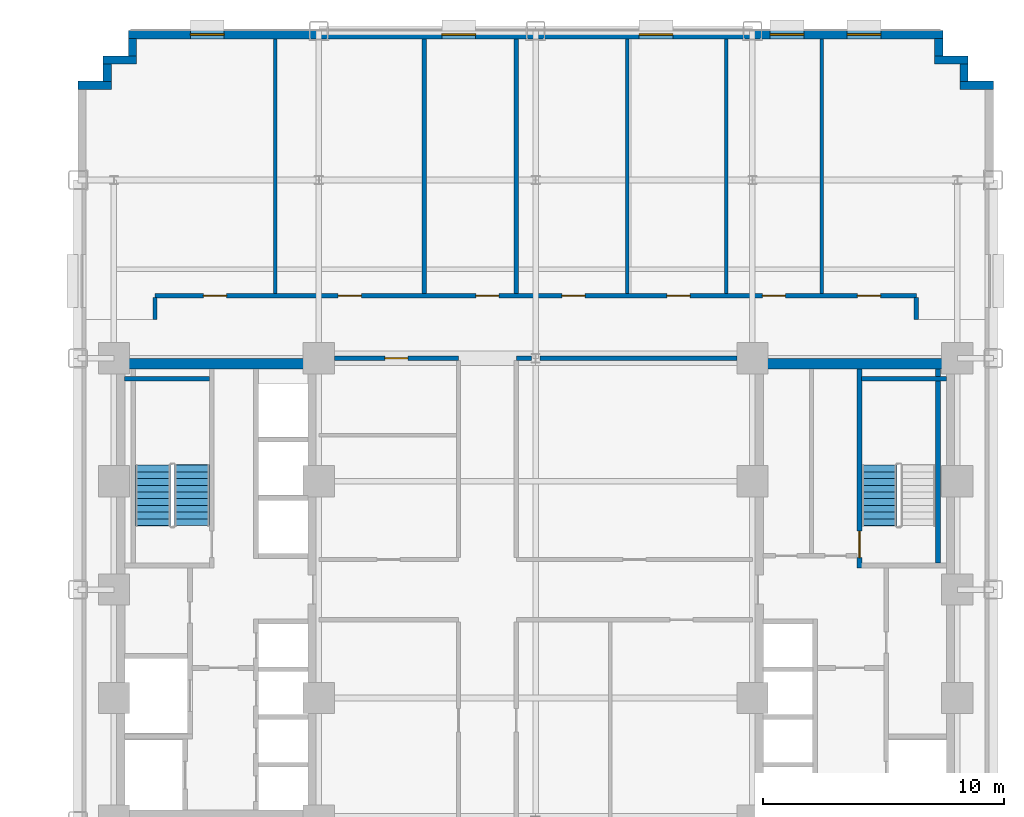
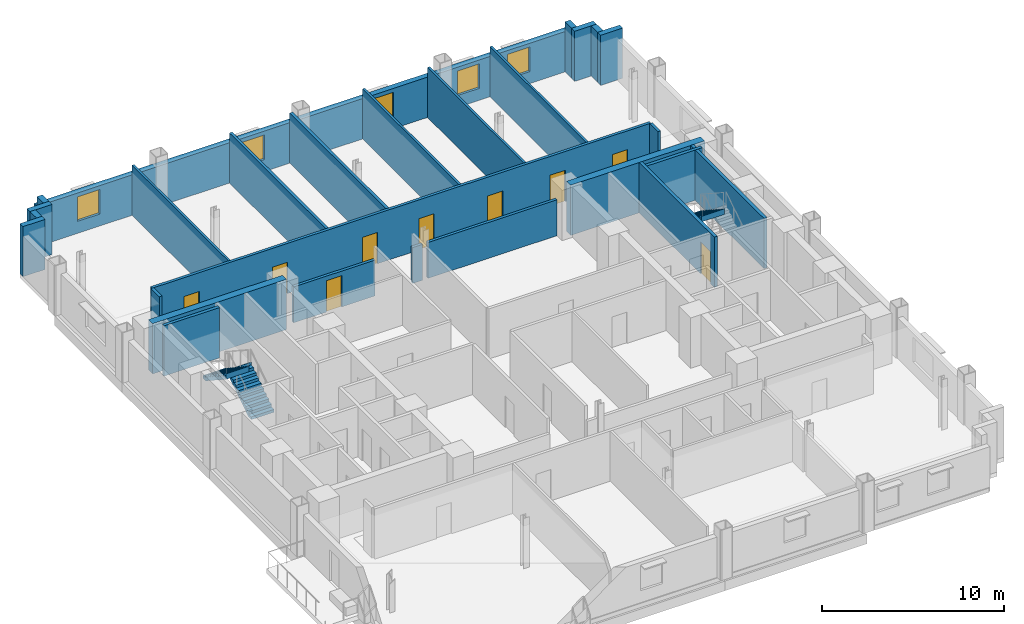
# One storey, part 7 of 12: 27 walls, 9 doors, 5 windows, 3 stair flights, 14 openings, 2 elements without a shape of their own.
"""IFC4 building model written with IfcOpenShell, lengths in metres."""

from ifc_helpers import new_model, si_unit, direction, frame, frame_2d, origin, place, context, subcontext, project, spatial, polyline, rectangle, outline, extrude, source, transform, mapped, material, layer, layer_set, type_object, type_shapes, element, fill, aggregate, save


model = new_model("IFC4")

# Units and contexts
model_context = context("Model", 3, precision=1e-05, world=origin(), true_north=direction((0.0, 1.0)))
body_context = subcontext(model_context, "Body", "Model", "MODEL_VIEW")
ifc_project = project(units=[si_unit("LENGTHUNIT", "METRE"), si_unit("AREAUNIT", "SQUARE_METRE"), si_unit("VOLUMEUNIT", "CUBIC_METRE"), si_unit("PLANEANGLEUNIT", "RADIAN"), si_unit("MASSUNIT", "GRAM", prefix="KILO")], contexts=[model_context])

# Site, building, storey
site_placement = place(None, origin())
site = spatial("IfcSite", under=ifc_project, at=site_placement, CompositionType="ELEMENT")
building_placement = place(site_placement, origin())
building = spatial("IfcBuilding", under=site, at=building_placement, Name="Nuvemarco Arch Tower", CompositionType="ELEMENT")
storey_placement = place(building_placement, frame((0.0, 0.0, 31.25)))
storey = spatial("IfcBuildingStorey", under=building, at=storey_placement, Name="L07", CompositionType="ELEMENT", Elevation=31.25)

# Walls
ifc_material_1 = material(Name="Precast concrete C45/55", Category="concrete")
ifc_layer_1 = layer(ifc_material_1, 0.340087890625, Name="EW-LOW-340")
ifc_layer_set_1 = layer_set([ifc_layer_1], Name="Precast concrete C45/55")
wall_type_1 = type_object("IfcWallType", Name="EW-LOW-340", PredefinedType="STANDARD", material=ifc_layer_set_1)
wall_1_placement = place(storey_placement, frame((17.610107421875, 20.929931640625, 0.0), z_axis=(0.0, 0.0, 1.0), x_axis=(1.0, 0.0, 0.0)))
element("IfcWall", 1, at=wall_1_placement, inside=storey, type_object=wall_type_1, Name="L07 exterior precast facade wall 7", PredefinedType="STANDARD", context=body_context, shape_type="SweptSolid", body=[
    extrude(rectangle(XDim=1.389892578125, YDim=0.340087890625, at=frame_2d((0.69482421875, 0.0))), origin(), (0.0, 0.0, 1.0), 3.360107421875),
])
wall_2_placement = place(storey_placement, frame((17.780029296875, 21.095947265625, 0.0), z_axis=(0.0, 0.0, 1.0), x_axis=(0.0, 1.0, 0.0)))
element("IfcWall", 2, at=wall_2_placement, inside=storey, type_object=wall_type_1, Name="L07 exterior precast facade wall 8", PredefinedType="STANDARD", context=body_context, shape_type="SweptSolid", body=[
    extrude(rectangle(XDim=0.718017578125, YDim=0.340087890625, at=frame_2d((0.35888671875, 0.0))), origin(), (0.0, 0.0, 1.0), 3.360107421875),
])
wall_3_placement = place(storey_placement, frame((16.56005859375, 21.97998046875, 0.0), z_axis=(0.0, 0.0, 1.0), x_axis=(1.0, 0.0, 0.0)))
element("IfcWall", 3, at=wall_3_placement, inside=storey, type_object=wall_type_1, Name="L07 exterior precast facade wall 9", PredefinedType="STANDARD", context=body_context, shape_type="SweptSolid", body=[
    extrude(rectangle(XDim=1.389892578125, YDim=0.340087890625, at=frame_2d((0.69482421875, 0.0))), origin(), (0.0, 0.0, 1.0), 3.360107421875),
])
wall_4_placement = place(storey_placement, frame((16.72998046875, 22.14599609375, 0.0), z_axis=(0.0, 0.0, 1.0), x_axis=(0.0, 1.0, 0.0)))
element("IfcWall", 4, at=wall_4_placement, inside=storey, type_object=wall_type_1, Name="L07 exterior precast facade wall 10", PredefinedType="STANDARD", context=body_context, shape_type="SweptSolid", body=[
    extrude(rectangle(XDim=0.718017578125, YDim=0.340087890625, at=frame_2d((0.35888671875, 0.0))), origin(), (0.0, 0.0, 1.0), 3.360107421875),
])

# Wall, openings, windows
wall_5_placement = place(storey_placement, frame((-16.89990234375, 23.030029296875, 0.0), z_axis=(0.0, 0.0, 1.0), x_axis=(1.0, 0.0, 0.0)))
wall_5 = element("IfcWall", 5, at=wall_5_placement, inside=storey, type_object=wall_type_1, Name="L07 exterior precast facade wall 11", PredefinedType="STANDARD", context=body_context, shape_type="SweptSolid", body=[
    extrude(rectangle(XDim=33.7998046875, YDim=0.340087890625, at=frame_2d((16.89990234375, 0.0))), origin(), (0.0, 0.0, 1.0), 2.705078125),
])
opening_1_placement = place(wall_5_placement, frame((2.5712890625, 0.0, 0.800048828125)))
opening_1 = element("IfcOpeningElement", 6, at=opening_1_placement, cuts=wall_5, Name="Opening WN-4", PredefinedType="OPENING", context=body_context, shape_type="SweptSolid", body=[
    extrude(rectangle(XDim=1.39990234375, YDim=1.64990234375, at=frame_2d((0.699951171875, 0.824951171875))), frame((0.0, 0.179931640625, 0.0), z_axis=(0.0, -1.0, 0.0), x_axis=(1.0, 0.0, 0.0)), (0.0, 0.0, 1.0), 0.360107421875),
])
opening_2_placement = place(wall_5_placement, frame((13.007080078125, 0.0, 0.800048828125)))
opening_2 = element("IfcOpeningElement", 7, at=opening_2_placement, cuts=wall_5, Name="Opening WN-4", PredefinedType="OPENING", context=body_context, shape_type="SweptSolid", body=[
    extrude(rectangle(XDim=1.39990234375, YDim=1.64990234375, at=frame_2d((0.699951171875, 0.824951171875))), frame((0.0, 0.179931640625, 0.0), z_axis=(0.0, -1.0, 0.0), x_axis=(1.0, 0.0, 0.0)), (0.0, 0.0, 1.0), 0.360107421875),
])
opening_3_placement = place(wall_5_placement, frame((21.19287109375, 0.0, 0.800048828125)))
opening_3 = element("IfcOpeningElement", 8, at=opening_3_placement, cuts=wall_5, Name="Opening WN-4", PredefinedType="OPENING", context=body_context, shape_type="SweptSolid", body=[
    extrude(rectangle(XDim=1.39990234375, YDim=1.64990234375, at=frame_2d((0.699951171875, 0.824951171875))), frame((0.0, 0.179931640625, 0.0), z_axis=(0.0, -1.0, 0.0), x_axis=(1.0, 0.0, 0.0)), (0.0, 0.0, 1.0), 0.360107421875),
])
opening_4_placement = place(wall_5_placement, frame((26.6357421875, 0.0, 0.800048828125)))
opening_4 = element("IfcOpeningElement", 9, at=opening_4_placement, cuts=wall_5, Name="Opening WN-4", PredefinedType="OPENING", context=body_context, shape_type="SweptSolid", body=[
    extrude(rectangle(XDim=1.39990234375, YDim=1.64990234375, at=frame_2d((0.699951171875, 0.824951171875))), frame((0.0, 0.179931640625, 0.0), z_axis=(0.0, -1.0, 0.0), x_axis=(1.0, 0.0, 0.0)), (0.0, 0.0, 1.0), 0.360107421875),
])
opening_5_placement = place(wall_5_placement, frame((29.82861328125, 0.0, 0.800048828125)))
opening_5 = element("IfcOpeningElement", 10, at=opening_5_placement, cuts=wall_5, Name="Opening WN-4", PredefinedType="OPENING", context=body_context, shape_type="SweptSolid", body=[
    extrude(rectangle(XDim=1.39990234375, YDim=1.64990234375, at=frame_2d((0.699951171875, 0.824951171875))), frame((0.0, 0.179931640625, 0.0), z_axis=(0.0, -1.0, 0.0), x_axis=(1.0, 0.0, 0.0)), (0.0, 0.0, 1.0), 0.360107421875),
])
ifc_material_2 = material(Name="Insulated solar-control glass", Category="glass")
window_type = type_object("IfcWindowType", Name="WN-LOW-1400x1650", PartitioningType="SINGLE_PANEL", PredefinedType="WINDOW", material=ifc_material_2)
shared_shape_1 = source(origin(), body_context, "Body", "SweptSolid", [
    extrude(rectangle(XDim=1.39990234375, YDim=1.64990234375, at=frame_2d((0.699951171875, 0.824951171875))), frame((0.0, 0.030029296875, 0.0), z_axis=(0.0, -1.0, 0.0), x_axis=(1.0, 0.0, 0.0)), (0.0, 0.0, 1.0), 0.06005859375),
])
type_shapes(window_type, [shared_shape_1])
window_1_placement = place(opening_1_placement, origin())
window_1 = element("IfcWindow", 11, at=window_1_placement, inside=storey, type_object=window_type, Name="L07 punched facade window 1", OverallHeight=1.64990234375, OverallWidth=1.39990234375, PartitioningType="SINGLE_PANEL", PredefinedType="WINDOW", context=body_context, shape_type="MappedRepresentation", body=[
    mapped(shared_shape_1, transform((0.0, 0.0, 0.0), scale=1.0)),
])
fill(opening_1, window_1)
window_2_placement = place(opening_2_placement, origin())
window_2 = element("IfcWindow", 12, at=window_2_placement, inside=storey, type_object=window_type, Name="L07 punched facade window 3", OverallHeight=1.64990234375, OverallWidth=1.39990234375, PartitioningType="SINGLE_PANEL", PredefinedType="WINDOW", context=body_context, shape_type="MappedRepresentation", body=[
    mapped(shared_shape_1, transform((0.0, 0.0, 0.0), scale=1.0)),
])
fill(opening_2, window_2)
window_3_placement = place(opening_3_placement, origin())
window_3 = element("IfcWindow", 13, at=window_3_placement, inside=storey, type_object=window_type, Name="L07 punched facade window 5", OverallHeight=1.64990234375, OverallWidth=1.39990234375, PartitioningType="SINGLE_PANEL", PredefinedType="WINDOW", context=body_context, shape_type="MappedRepresentation", body=[
    mapped(shared_shape_1, transform((0.0, 0.0, 0.0), scale=1.0)),
])
fill(opening_3, window_3)
window_4_placement = place(opening_4_placement, origin())
window_4 = element("IfcWindow", 14, at=window_4_placement, inside=storey, type_object=window_type, Name="L07 punched facade window 6", OverallHeight=1.64990234375, OverallWidth=1.39990234375, PartitioningType="SINGLE_PANEL", PredefinedType="WINDOW", context=body_context, shape_type="MappedRepresentation", body=[
    mapped(shared_shape_1, transform((0.0, 0.0, 0.0), scale=1.0)),
])
fill(opening_4, window_4)
window_5_placement = place(opening_5_placement, origin())
window_5 = element("IfcWindow", 15, at=window_5_placement, inside=storey, type_object=window_type, Name="L07 punched facade window 7", OverallHeight=1.64990234375, OverallWidth=1.39990234375, PartitioningType="SINGLE_PANEL", PredefinedType="WINDOW", context=body_context, shape_type="MappedRepresentation", body=[
    mapped(shared_shape_1, transform((0.0, 0.0, 0.0), scale=1.0)),
])
fill(opening_5, window_5)

# Walls
wall_6_placement = place(storey_placement, frame((-16.72998046875, 22.14599609375, 0.0), z_axis=(0.0, 0.0, 1.0), x_axis=(0.0, 1.0, 0.0)))
element("IfcWall", 16, at=wall_6_placement, inside=storey, type_object=wall_type_1, Name="L07 exterior precast facade wall 12", PredefinedType="STANDARD", context=body_context, shape_type="SweptSolid", body=[
    extrude(rectangle(XDim=0.718017578125, YDim=0.340087890625, at=frame_2d((0.35888671875, 0.0))), origin(), (0.0, 0.0, 1.0), 3.360107421875),
])
wall_7_placement = place(storey_placement, frame((-17.949951171875, 21.97998046875, 0.0), z_axis=(0.0, 0.0, 1.0), x_axis=(1.0, 0.0, 0.0)))
element("IfcWall", 17, at=wall_7_placement, inside=storey, type_object=wall_type_1, Name="L07 exterior precast facade wall 13", PredefinedType="STANDARD", context=body_context, shape_type="SweptSolid", body=[
    extrude(rectangle(XDim=1.389892578125, YDim=0.340087890625, at=frame_2d((0.69482421875, 0.0))), origin(), (0.0, 0.0, 1.0), 3.360107421875),
])
wall_8_placement = place(storey_placement, frame((-17.780029296875, 21.095947265625, 0.0), z_axis=(0.0, 0.0, 1.0), x_axis=(0.0, 1.0, 0.0)))
element("IfcWall", 18, at=wall_8_placement, inside=storey, type_object=wall_type_1, Name="L07 exterior precast facade wall 14", PredefinedType="STANDARD", context=body_context, shape_type="SweptSolid", body=[
    extrude(rectangle(XDim=0.718017578125, YDim=0.340087890625, at=frame_2d((0.35888671875, 0.0))), origin(), (0.0, 0.0, 1.0), 3.360107421875),
])
wall_9_placement = place(storey_placement, frame((-19.0, 20.929931640625, 0.0), z_axis=(0.0, 0.0, 1.0), x_axis=(1.0, 0.0, 0.0)))
element("IfcWall", 19, at=wall_9_placement, inside=storey, type_object=wall_type_1, Name="L07 exterior precast facade wall 15", PredefinedType="STANDARD", context=body_context, shape_type="SweptSolid", body=[
    extrude(rectangle(XDim=1.389892578125, YDim=0.340087890625, at=frame_2d((0.69482421875, 0.0))), origin(), (0.0, 0.0, 1.0), 3.360107421875),
])
ifc_material_3 = material(Name="Concrete C60/75", Category="concrete")
ifc_layer_2 = layer(ifc_material_3, 0.449951171875, Name="WL-CORE-450")
ifc_layer_set_2 = layer_set([ifc_layer_2], Name="Concrete C60/75")
wall_type_2 = type_object("IfcWallType", Name="WL-CORE-450", PredefinedType="SHEAR", material=ifc_layer_set_2)
for number, where, z_axis, x_axis, name in (
    (20, (-17.5, 9.375, 0.0), (0.0, 0.0, 1.0), (1.0, 0.0, 0.0), "L07 W-core shear wall N"),
    (21, (9.0, 9.375, 0.0), (0.0, 0.0, 1.0), (1.0, 0.0, 0.0), "L07 E-core shear wall N"),
):
    element("IfcWall", number, at=place(storey_placement, frame(where, z_axis=z_axis, x_axis=x_axis)), inside=storey, type_object=wall_type_2, Name=name, PredefinedType="SHEAR", context=body_context, shape_type="SweptSolid", body=[
        extrude(rectangle(XDim=8.5, YDim=0.449951171875, at=frame_2d((4.25, 0.0))), origin(), (0.0, 0.0, 1.0), 3.3701171875),
    ])

# Wall, opening, door
ifc_material_4 = material(Name="Fire-rated gypsum drywall partition")
ifc_layer_3 = layer(ifc_material_4, 0.179931640625, Name="WL-CORR-180")
ifc_layer_set_3 = layer_set([ifc_layer_3], Name="Fire-rated gypsum drywall partition")
wall_type_3 = type_object("IfcWallType", Name="WL-CORR-180", PredefinedType="PARTITIONING", material=ifc_layer_set_3)
wall_10_placement = place(storey_placement, frame((-8.35400390625, 9.60009765625, 0.0), z_axis=(0.0, 0.0, 1.0), x_axis=(1.0, 0.0, 0.0)))
wall_10 = element("IfcWall", 22, at=wall_10_placement, inside=storey, type_object=wall_type_3, Name="L07 interior wall IW-L07-012", PredefinedType="PARTITIONING", context=body_context, shape_type="SweptSolid", body=[
    extrude(rectangle(XDim=5.154052734375, YDim=0.179931640625, at=frame_2d((2.5771484375, 0.0))), origin(), (0.0, 0.0, 1.0), 2.405029296875),
])
opening_6_placement = place(wall_10_placement, frame((2.096923828125, 0.0, 0.0)))
opening_6 = element("IfcOpeningElement", 23, at=opening_6_placement, cuts=wall_10, Name="Opening FD-5", PredefinedType="OPENING", context=body_context, shape_type="SweptSolid", body=[
    extrude(rectangle(XDim=0.9599609375, YDim=2.10009765625, at=frame_2d((0.47998046875, 1.050048828125))), frame((0.0, 0.099853515625, 0.0), z_axis=(0.0, -1.0, 0.0), x_axis=(1.0, 0.0, 0.0)), (0.0, 0.0, 1.0), 0.199951171875),
])
ifc_material_5 = material(Name="Timber fire door", Category="wood")
door_type_1 = type_object("IfcDoorType", Name="DR-CORR-FD", OperationType="NOTDEFINED", PredefinedType="DOOR", material=ifc_material_5)
shared_shape_2 = source(origin(), body_context, "Body", "SweptSolid", [
    extrude(rectangle(XDim=0.9599609375, YDim=2.10009765625, at=frame_2d((0.47998046875, 1.050048828125))), frame((0.0, 0.02490234375, 0.0), z_axis=(0.0, -1.0, 0.0), x_axis=(1.0, 0.0, 0.0)), (0.0, 0.0, 1.0), 0.050048828125),
])
type_shapes(door_type_1, [shared_shape_2])
door_1_placement = place(opening_6_placement, origin())
door_1 = element("IfcDoor", 24, at=door_1_placement, inside=storey, type_object=door_type_1, Name="L07 door DR-L07-C_NW2", OperationType="SINGLE_SWING_LEFT", OverallHeight=2.10009765625, OverallWidth=0.9599609375, PredefinedType="DOOR", context=body_context, shape_type="MappedRepresentation", body=[
    mapped(shared_shape_2, transform((0.0, 0.0, 0.0), scale=1.0)),
])
fill(opening_6, door_1)

# Walls
wall_11_placement = place(storey_placement, frame((-0.800048828125, 9.60009765625, 0.0), z_axis=(0.0, 0.0, 1.0), x_axis=(1.0, 0.0, 0.0)))
element("IfcWall", 25, at=wall_11_placement, inside=storey, type_object=wall_type_3, Name="L07 interior wall IW-L07-013", PredefinedType="PARTITIONING", context=body_context, shape_type="SweptSolid", body=[
    extrude(rectangle(XDim=0.6240234375, YDim=0.179931640625, at=frame_2d((0.31201171875, 0.0))), origin(), (0.0, 0.0, 1.0), 2.405029296875),
])
wall_12_placement = place(storey_placement, frame((0.176025390625, 9.60009765625, 0.0), z_axis=(0.0, 0.0, 1.0), x_axis=(1.0, 0.0, 0.0)))
element("IfcWall", 26, at=wall_12_placement, inside=storey, type_object=wall_type_3, Name="L07 interior wall IW-L07-014", PredefinedType="PARTITIONING", context=body_context, shape_type="SweptSolid", body=[
    extrude(rectangle(XDim=8.177978515625, YDim=0.179931640625, at=frame_2d((4.0888671875, 0.0))), origin(), (0.0, 0.0, 1.0), 2.405029296875),
])

# Wall, openings, doors
wall_13_placement = place(storey_placement, frame((-15.800048828125, 12.199951171875, 0.0), z_axis=(0.0, 0.0, 1.0), x_axis=(1.0, 0.0, 0.0)))
wall_13 = element("IfcWall", 27, at=wall_13_placement, inside=storey, type_object=wall_type_3, Name="L07 interior wall IW-L07-015", PredefinedType="PARTITIONING", context=body_context, shape_type="SweptSolid", body=[
    extrude(rectangle(XDim=31.60009765625, YDim=0.179931640625, at=frame_2d((15.800048828125, 0.0))), origin(), (0.0, 0.0, 1.0), 3.360107421875),
])
opening_7_placement = place(wall_13_placement, frame((7.60498046875, 0.0, 0.0)))
opening_7 = element("IfcOpeningElement", 28, at=opening_7_placement, cuts=wall_13, Name="Opening FD-5", PredefinedType="OPENING", context=body_context, shape_type="SweptSolid", body=[
    extrude(rectangle(XDim=0.9599609375, YDim=2.10009765625, at=frame_2d((0.47998046875, 1.050048828125))), frame((0.0, 0.099853515625, 0.0), z_axis=(0.0, -1.0, 0.0), x_axis=(1.0, 0.0, 0.0)), (0.0, 0.0, 1.0), 0.199951171875),
])
opening_8_placement = place(wall_13_placement, frame((2.014892578125, 0.0, 0.0)))
opening_8 = element("IfcOpeningElement", 29, at=opening_8_placement, cuts=wall_13, Name="Opening FD-5", PredefinedType="OPENING", context=body_context, shape_type="SweptSolid", body=[
    extrude(rectangle(XDim=0.9599609375, YDim=2.10009765625, at=frame_2d((0.47998046875, 1.050048828125))), frame((0.0, 0.099853515625, 0.0), z_axis=(0.0, -1.0, 0.0), x_axis=(1.0, 0.0, 0.0)), (0.0, 0.0, 1.0), 0.199951171875),
])
opening_9_placement = place(wall_13_placement, frame((16.89501953125, 0.0, 0.0)))
opening_9 = element("IfcOpeningElement", 30, at=opening_9_placement, cuts=wall_13, Name="Opening FD-5", PredefinedType="OPENING", context=body_context, shape_type="SweptSolid", body=[
    extrude(rectangle(XDim=0.9599609375, YDim=2.10009765625, at=frame_2d((0.47998046875, 1.050048828125))), frame((0.0, 0.099853515625, 0.0), z_axis=(0.0, -1.0, 0.0), x_axis=(1.0, 0.0, 0.0)), (0.0, 0.0, 1.0), 0.199951171875),
])
opening_10_placement = place(wall_13_placement, frame((21.25, 0.0, 0.0)))
opening_10 = element("IfcOpeningElement", 31, at=opening_10_placement, cuts=wall_13, Name="Opening FD-5", PredefinedType="OPENING", context=body_context, shape_type="SweptSolid", body=[
    extrude(rectangle(XDim=0.9599609375, YDim=2.10009765625, at=frame_2d((0.47998046875, 1.050048828125))), frame((0.0, 0.099853515625, 0.0), z_axis=(0.0, -1.0, 0.0), x_axis=(1.0, 0.0, 0.0)), (0.0, 0.0, 1.0), 0.199951171875),
])
opening_11_placement = place(wall_13_placement, frame((25.2099609375, 0.0, 0.0)))
opening_11 = element("IfcOpeningElement", 32, at=opening_11_placement, cuts=wall_13, Name="Opening FD-5", PredefinedType="OPENING", context=body_context, shape_type="SweptSolid", body=[
    extrude(rectangle(XDim=0.9599609375, YDim=2.10009765625, at=frame_2d((0.47998046875, 1.050048828125))), frame((0.0, 0.099853515625, 0.0), z_axis=(0.0, -1.0, 0.0), x_axis=(1.0, 0.0, 0.0)), (0.0, 0.0, 1.0), 0.199951171875),
])
opening_12_placement = place(wall_13_placement, frame((29.155029296875, 0.0, 0.0)))
opening_12 = element("IfcOpeningElement", 33, at=opening_12_placement, cuts=wall_13, Name="Opening FD-5", PredefinedType="OPENING", context=body_context, shape_type="SweptSolid", body=[
    extrude(rectangle(XDim=0.9599609375, YDim=2.10009765625, at=frame_2d((0.47998046875, 1.050048828125))), frame((0.0, 0.099853515625, 0.0), z_axis=(0.0, -1.0, 0.0), x_axis=(1.0, 0.0, 0.0)), (0.0, 0.0, 1.0), 0.199951171875),
])
opening_13_placement = place(wall_13_placement, frame((13.320068359375, 0.0, 0.0)))
opening_13 = element("IfcOpeningElement", 34, at=opening_13_placement, cuts=wall_13, Name="Opening FD-5", PredefinedType="OPENING", context=body_context, shape_type="SweptSolid", body=[
    extrude(rectangle(XDim=0.9599609375, YDim=2.10009765625, at=frame_2d((0.47998046875, 1.050048828125))), frame((0.0, 0.099853515625, 0.0), z_axis=(0.0, -1.0, 0.0), x_axis=(1.0, 0.0, 0.0)), (0.0, 0.0, 1.0), 0.199951171875),
])
door_2_placement = place(opening_7_placement, origin())
door_2 = element("IfcDoor", 35, at=door_2_placement, inside=storey, type_object=door_type_1, Name="L07 door DR-L07-N_2", OperationType="SINGLE_SWING_RIGHT", OverallHeight=2.10009765625, OverallWidth=0.9599609375, PredefinedType="DOOR", context=body_context, shape_type="MappedRepresentation", body=[
    mapped(shared_shape_2, transform((0.0, 0.0, 0.0), scale=1.0)),
])
fill(opening_7, door_2)
door_3_placement = place(opening_8_placement, origin())
door_3 = element("IfcDoor", 36, at=door_3_placement, inside=storey, type_object=door_type_1, Name="L07 door DR-L07-N_1", OperationType="SINGLE_SWING_RIGHT", OverallHeight=2.10009765625, OverallWidth=0.9599609375, PredefinedType="DOOR", context=body_context, shape_type="MappedRepresentation", body=[
    mapped(shared_shape_2, transform((0.0, 0.0, 0.0), scale=1.0)),
])
fill(opening_8, door_3)
door_4_placement = place(opening_9_placement, origin())
door_4 = element("IfcDoor", 37, at=door_4_placement, inside=storey, type_object=door_type_1, Name="L07 door DR-L07-N_4", OperationType="SINGLE_SWING_LEFT", OverallHeight=2.10009765625, OverallWidth=0.9599609375, PredefinedType="DOOR", context=body_context, shape_type="MappedRepresentation", body=[
    mapped(shared_shape_2, transform((0.0, 0.0, 0.0), scale=1.0)),
])
fill(opening_9, door_4)
door_5_placement = place(opening_10_placement, origin())
door_5 = element("IfcDoor", 38, at=door_5_placement, inside=storey, type_object=door_type_1, Name="L07 door DR-L07-N_5", OperationType="SINGLE_SWING_RIGHT", OverallHeight=2.10009765625, OverallWidth=0.9599609375, PredefinedType="DOOR", context=body_context, shape_type="MappedRepresentation", body=[
    mapped(shared_shape_2, transform((0.0, 0.0, 0.0), scale=1.0)),
])
fill(opening_10, door_5)
door_6_placement = place(opening_11_placement, origin())
door_6 = element("IfcDoor", 39, at=door_6_placement, inside=storey, type_object=door_type_1, Name="L07 door DR-L07-N_6", OperationType="SINGLE_SWING_LEFT", OverallHeight=2.10009765625, OverallWidth=0.9599609375, PredefinedType="DOOR", context=body_context, shape_type="MappedRepresentation", body=[
    mapped(shared_shape_2, transform((0.0, 0.0, 0.0), scale=1.0)),
])
fill(opening_11, door_6)
door_7_placement = place(opening_12_placement, origin())
door_7 = element("IfcDoor", 40, at=door_7_placement, inside=storey, type_object=door_type_1, Name="L07 door DR-L07-N_7", OperationType="SINGLE_SWING_RIGHT", OverallHeight=2.10009765625, OverallWidth=0.9599609375, PredefinedType="DOOR", context=body_context, shape_type="MappedRepresentation", body=[
    mapped(shared_shape_2, transform((0.0, 0.0, 0.0), scale=1.0)),
])
fill(opening_12, door_7)
door_8_placement = place(opening_13_placement, origin())
door_8 = element("IfcDoor", 41, at=door_8_placement, inside=storey, type_object=door_type_1, Name="L07 door DR-L07-N_3", OperationType="SINGLE_SWING_LEFT", OverallHeight=2.10009765625, OverallWidth=0.9599609375, PredefinedType="DOOR", context=body_context, shape_type="MappedRepresentation", body=[
    mapped(shared_shape_2, transform((0.0, 0.0, 0.0), scale=1.0)),
])
fill(opening_13, door_8)

# Walls
wall_14_placement = place(storey_placement, frame((-15.800048828125, 11.199951171875, 0.0), z_axis=(0.0, 0.0, 1.0), x_axis=(0.0, 1.0, 0.0)))
element("IfcWall", 42, at=wall_14_placement, inside=storey, type_object=wall_type_3, Name="L07 interior wall IW-L07-017", PredefinedType="PARTITIONING", context=body_context, shape_type="SweptSolid", body=[
    extrude(rectangle(XDim=0.9140625, YDim=0.179931640625, at=frame_2d((0.45703125, 0.0))), origin(), (0.0, 0.0, 1.0), 3.360107421875),
])
for number, where, z_axis, x_axis, name in (
    (43, (-4.6201171875, 12.285888671875, 0.0), (0.0, 0.0, 1.0), (0.0, 1.0, 0.0), "L07 interior wall IW-L07-020"),
    (44, (-0.800048828125, 12.285888671875, 0.0), (0.0, 0.0, 1.0), (0.0, 1.0, 0.0), "L07 interior wall IW-L07-026"),
):
    element("IfcWall", number, at=place(storey_placement, frame(where, z_axis=z_axis, x_axis=x_axis)), inside=storey, type_object=wall_type_3, Name=name, PredefinedType="PARTITIONING", context=body_context, shape_type="SweptSolid", body=[
        extrude(rectangle(XDim=10.57421875, YDim=0.179931640625, at=frame_2d((5.287109375, 0.0))), origin(), (0.0, 0.0, 1.0), 3.360107421875),
    ])
wall_15_placement = place(storey_placement, frame((15.800048828125, 11.199951171875, 0.0), z_axis=(0.0, 0.0, 1.0), x_axis=(0.0, 1.0, 0.0)))
element("IfcWall", 45, at=wall_15_placement, inside=storey, type_object=wall_type_3, Name="L07 interior wall IW-L07-037", PredefinedType="PARTITIONING", context=body_context, shape_type="SweptSolid", body=[
    extrude(rectangle(XDim=0.9140625, YDim=0.179931640625, at=frame_2d((0.45703125, 0.0))), origin(), (0.0, 0.0, 1.0), 3.360107421875),
])
ifc_material_6 = material(Name="Gypsum plasterboard partition")
ifc_layer_4 = layer(ifc_material_6, 0.139892578125, Name="WL-ROOM-140")
ifc_layer_set_4 = layer_set([ifc_layer_4], Name="Gypsum plasterboard partition")
wall_type_4 = type_object("IfcWallType", Name="WL-ROOM-140", PredefinedType="PARTITIONING", material=ifc_layer_set_4)
for number, where, z_axis, x_axis, name in (
    (46, (-10.81005859375, 12.285888671875, 0.0), (0.0, 0.0, 1.0), (0.0, 1.0, 0.0), "L07 interior wall IW-L07-018"),
    (47, (3.800048828125, 12.285888671875, 0.0), (0.0, 0.0, 1.0), (0.0, 1.0, 0.0), "L07 interior wall IW-L07-030"),
    (48, (7.909912109375, 12.285888671875, 0.0), (0.0, 0.0, 1.0), (0.0, 1.0, 0.0), "L07 interior wall IW-L07-032"),
    (49, (11.8701171875, 12.285888671875, 0.0), (0.0, 0.0, 1.0), (0.0, 1.0, 0.0), "L07 interior wall IW-L07-035"),
):
    element("IfcWall", number, at=place(storey_placement, frame(where, z_axis=z_axis, x_axis=x_axis)), inside=storey, type_object=wall_type_4, Name=name, PredefinedType="PARTITIONING", context=body_context, shape_type="SweptSolid", body=[
        extrude(rectangle(XDim=10.57421875, YDim=0.139892578125, at=frame_2d((5.287109375, 0.0))), origin(), (0.0, 0.0, 1.0), 3.360107421875),
    ])
ifc_material_7 = material(Name="Concrete C50/60", Category="concrete")
ifc_layer_5 = layer(ifc_material_7, 0.199951171875, Name="WL-SHAFT-220")
ifc_layer_set_5 = layer_set([ifc_layer_5], Name="Concrete C50/60")
wall_type_5 = type_object("IfcWallType", Name="WL-SHAFT-220", PredefinedType="SHEAR", material=ifc_layer_set_5)
wall_16_placement = place(storey_placement, frame((-17.054931640625, 8.75, 0.0), z_axis=(0.0, 0.0, 1.0), x_axis=(1.0, 0.0, 0.0)))
element("IfcWall", 50, at=wall_16_placement, inside=storey, type_object=wall_type_5, Name="L07 structural shaft wall SW-L07-W-ST1N", PredefinedType="SHEAR", context=body_context, shape_type="SweptSolid", body=[
    extrude(rectangle(XDim=3.52001953125, YDim=0.199951171875, at=frame_2d((1.760009765625, 0.0))), origin(), (0.0, 0.0, 1.0), 3.3701171875),
])

# Wall, opening, door
wall_17_placement = place(storey_placement, frame((13.43994140625, 0.89990234375, 0.0), z_axis=(0.0, 0.0, 1.0), x_axis=(0.0, 1.0, 0.0)))
wall_17 = element("IfcWall", 51, at=wall_17_placement, inside=storey, type_object=wall_type_5, Name="L07 structural shaft wall SW-L07-E-ST2W", PredefinedType="SHEAR", context=body_context, shape_type="SweptSolid", body=[
    extrude(rectangle(XDim=8.255126953125, YDim=0.199951171875, at=frame_2d((4.12744140625, 0.0))), origin(), (0.0, 0.0, 1.0), 3.3701171875),
])
opening_14_placement = place(wall_17_placement, frame((0.429931640625, 0.0, 0.0)))
opening_14 = element("IfcOpeningElement", 52, at=opening_14_placement, cuts=wall_17, Name="Opening FD-1", PredefinedType="OPENING", context=body_context, shape_type="SweptSolid", body=[
    extrude(rectangle(XDim=1.10009765625, YDim=2.14990234375, at=frame_2d((0.550048828125, 1.074951171875))), frame((0.0, 0.10986328125, 0.0), z_axis=(0.0, -1.0, 0.0), x_axis=(1.0, 0.0, 0.0)), (0.0, 0.0, 1.0), 0.219970703125),
])
ifc_material_8 = material(Name="Anodised steel fire door", Category="steel")
door_type_2 = type_object("IfcDoorType", Name="DR-STAIR-FD", OperationType="NOTDEFINED", PredefinedType="DOOR", material=ifc_material_8)
shared_shape_3 = source(origin(), body_context, "Body", "SweptSolid", [
    extrude(rectangle(XDim=1.10009765625, YDim=2.14990234375, at=frame_2d((0.550048828125, 1.074951171875))), frame((0.0, 0.02490234375, 0.0), z_axis=(0.0, -1.0, 0.0), x_axis=(1.0, 0.0, 0.0)), (0.0, 0.0, 1.0), 0.050048828125),
])
type_shapes(door_type_2, [shared_shape_3])
door_9_placement = place(opening_14_placement, origin())
door_9 = element("IfcDoor", 53, at=door_9_placement, inside=storey, type_object=door_type_2, Name="L07 door FD-L07-ST2", OperationType="SINGLE_SWING_RIGHT", OverallHeight=2.14990234375, OverallWidth=1.10009765625, PredefinedType="DOOR", context=body_context, shape_type="MappedRepresentation", body=[
    mapped(shared_shape_3, transform((0.0, 0.0, 0.0), scale=1.0)),
])
fill(opening_14, door_9)

# Walls
wall_18_placement = place(storey_placement, frame((13.534912109375, 8.75, 0.0), z_axis=(0.0, 0.0, 1.0), x_axis=(1.0, 0.0, 0.0)))
element("IfcWall", 54, at=wall_18_placement, inside=storey, type_object=wall_type_5, Name="L07 structural shaft wall SW-L07-E-ST2N", PredefinedType="SHEAR", context=body_context, shape_type="SweptSolid", body=[
    extrude(rectangle(XDim=3.52001953125, YDim=0.199951171875, at=frame_2d((1.760009765625, 0.0))), origin(), (0.0, 0.0, 1.0), 3.3701171875),
])
wall_19_placement = place(storey_placement, frame((16.699951171875, 1.094970703125, 0.0), z_axis=(0.0, 0.0, 1.0), x_axis=(0.0, 1.0, 0.0)))
element("IfcWall", 55, at=wall_19_placement, inside=storey, type_object=wall_type_5, Name="L07 structural shaft wall SW-L07-E-ST2E", PredefinedType="SHEAR", context=body_context, shape_type="SweptSolid", body=[
    extrude(rectangle(XDim=8.06005859375, YDim=0.199951171875, at=frame_2d((4.030029296875, 0.0))), origin(), (0.0, 0.0, 1.0), 3.3701171875),
])

# Stair, stair flights
stair_type = type_object("IfcStairType", Name="ST-CORE-20R", PredefinedType="HALF_TURN_STAIR", material=ifc_material_1)
stair_1_placement = place(storey_placement, origin())
stair_1 = element("IfcStair", 56, at=stair_1_placement, inside=storey, type_object=stair_type, Name="L07 Protected Exit Stair ST-1", PredefinedType="HALF_TURN_STAIR")
stair_flight_type = type_object("IfcStairFlightType", Name="SF-CORE-20R", PredefinedType="STRAIGHT", material=ifc_material_1)
stair_flight_1_placement = place(storey_placement, frame((-14.264892578125, 2.64990234375, 0.0), z_axis=(0.0, 0.0, 1.0), x_axis=(0.0, 1.0, 0.0)))
stair_flight_1 = element("IfcStairFlight", 57, at=stair_flight_1_placement, type_object=stair_flight_type, Name="ST-20R flight 1", NumberOfRisers=10, NumberOfTreads=9, PredefinedType="STRAIGHT", RiserHeight=0.1825, TreadLength=0.28, context=body_context, shape_type="SweptSolid", body=[
    extrude(outline(polyline([(0.0, 0.0), (0.0, 0.1826171875), (0.280029296875, 0.1826171875), (0.280029296875, 0.364990234375), (0.56005859375, 0.364990234375), (0.56005859375, 0.547607421875), (0.840087890625, 0.547607421875), (0.840087890625, 0.72998046875), (1.1201171875, 0.72998046875), (1.1201171875, 0.91259765625), (1.39990234375, 0.91259765625), (1.39990234375, 1.094970703125), (1.679931640625, 1.094970703125), (1.679931640625, 1.277587890625), (1.9599609375, 1.277587890625), (1.9599609375, 1.4599609375), (2.239990234375, 1.4599609375), (2.239990234375, 1.642578125), (2.52001953125, 1.642578125), (2.52001953125, 1.824951171875), (2.5400390625, 1.824951171875), (2.5400390625, 1.45166015625), (0.312744140625, 0.0), (0.0, 0.0)])), frame((0.0, 0.72509765625, 0.0), z_axis=(0.0, -1.0, 0.0), x_axis=(1.0, 0.0, 0.0)), (0.0, 0.0, 1.0), 1.449951171875),
])
stair_flight_2_placement = place(storey_placement, frame((-15.875, 5.169921875, 1.824951171875), z_axis=(0.0, 0.0, 1.0), x_axis=(0.0, -1.0, 0.0)))
stair_flight_2 = element("IfcStairFlight", 58, at=stair_flight_2_placement, type_object=stair_flight_type, Name="ST-20R flight 2", NumberOfRisers=10, NumberOfTreads=9, PredefinedType="STRAIGHT", RiserHeight=0.1825, TreadLength=0.28, context=body_context, shape_type="SweptSolid", body=[
    extrude(outline(polyline([(0.0, 0.0), (0.0, 0.1826171875), (0.280029296875, 0.1826171875), (0.280029296875, 0.364990234375), (0.56005859375, 0.364990234375), (0.56005859375, 0.547607421875), (0.840087890625, 0.547607421875), (0.840087890625, 0.72998046875), (1.1201171875, 0.72998046875), (1.1201171875, 0.91259765625), (1.39990234375, 0.91259765625), (1.39990234375, 1.094970703125), (1.679931640625, 1.094970703125), (1.679931640625, 1.277587890625), (1.9599609375, 1.277587890625), (1.9599609375, 1.4599609375), (2.239990234375, 1.4599609375), (2.239990234375, 1.642578125), (2.52001953125, 1.642578125), (2.52001953125, 1.824951171875), (2.5400390625, 1.824951171875), (2.5400390625, 1.45166015625), (0.312744140625, 0.0), (0.0, 0.0)])), frame((0.0, 0.72509765625, 0.0), z_axis=(0.0, -1.0, 0.0), x_axis=(1.0, 0.0, 0.0)), (0.0, 0.0, 1.0), 1.449951171875),
])
aggregate(stair_1, [stair_flight_1, stair_flight_2])

# Stair, stair flight
stair_2_placement = place(storey_placement, origin())
stair_2 = element("IfcStair", 59, at=stair_2_placement, inside=storey, type_object=stair_type, Name="L07 Protected Exit Stair ST-2", PredefinedType="HALF_TURN_STAIR")
stair_flight_3_placement = place(storey_placement, frame((14.264892578125, 5.169921875, 1.824951171875), z_axis=(0.0, 0.0, 1.0), x_axis=(0.0, -1.0, 0.0)))
stair_flight_3 = element("IfcStairFlight", 60, at=stair_flight_3_placement, type_object=stair_flight_type, Name="ST-20R flight 2", NumberOfRisers=10, NumberOfTreads=9, PredefinedType="STRAIGHT", RiserHeight=0.1825, TreadLength=0.28, context=body_context, shape_type="SweptSolid", body=[
    extrude(outline(polyline([(0.0, 0.0), (0.0, 0.1826171875), (0.280029296875, 0.1826171875), (0.280029296875, 0.364990234375), (0.56005859375, 0.364990234375), (0.56005859375, 0.547607421875), (0.840087890625, 0.547607421875), (0.840087890625, 0.72998046875), (1.1201171875, 0.72998046875), (1.1201171875, 0.91259765625), (1.39990234375, 0.91259765625), (1.39990234375, 1.094970703125), (1.679931640625, 1.094970703125), (1.679931640625, 1.277587890625), (1.9599609375, 1.277587890625), (1.9599609375, 1.4599609375), (2.239990234375, 1.4599609375), (2.239990234375, 1.642578125), (2.52001953125, 1.642578125), (2.52001953125, 1.824951171875), (2.5400390625, 1.824951171875), (2.5400390625, 1.45166015625), (0.312744140625, 0.0), (0.0, 0.0)])), frame((0.0, 0.72509765625, 0.0), z_axis=(0.0, -1.0, 0.0), x_axis=(1.0, 0.0, 0.0)), (0.0, 0.0, 1.0), 1.449951171875),
])
aggregate(stair_2, [stair_flight_3])

save(model, "model.ifc")
